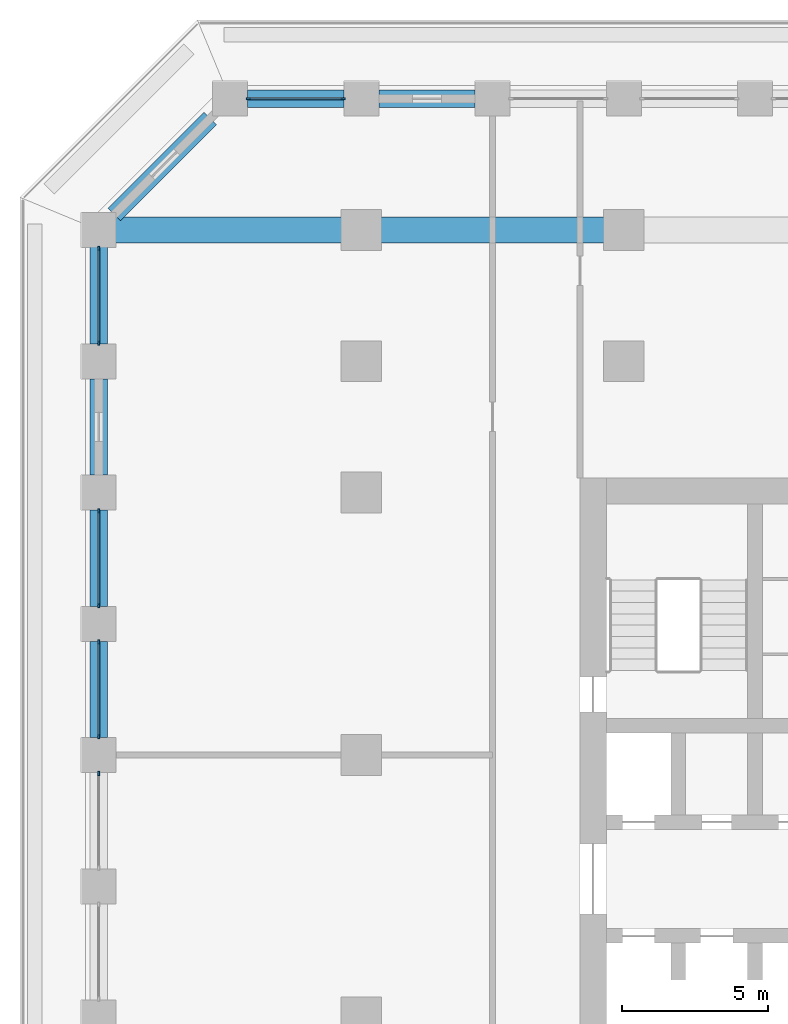
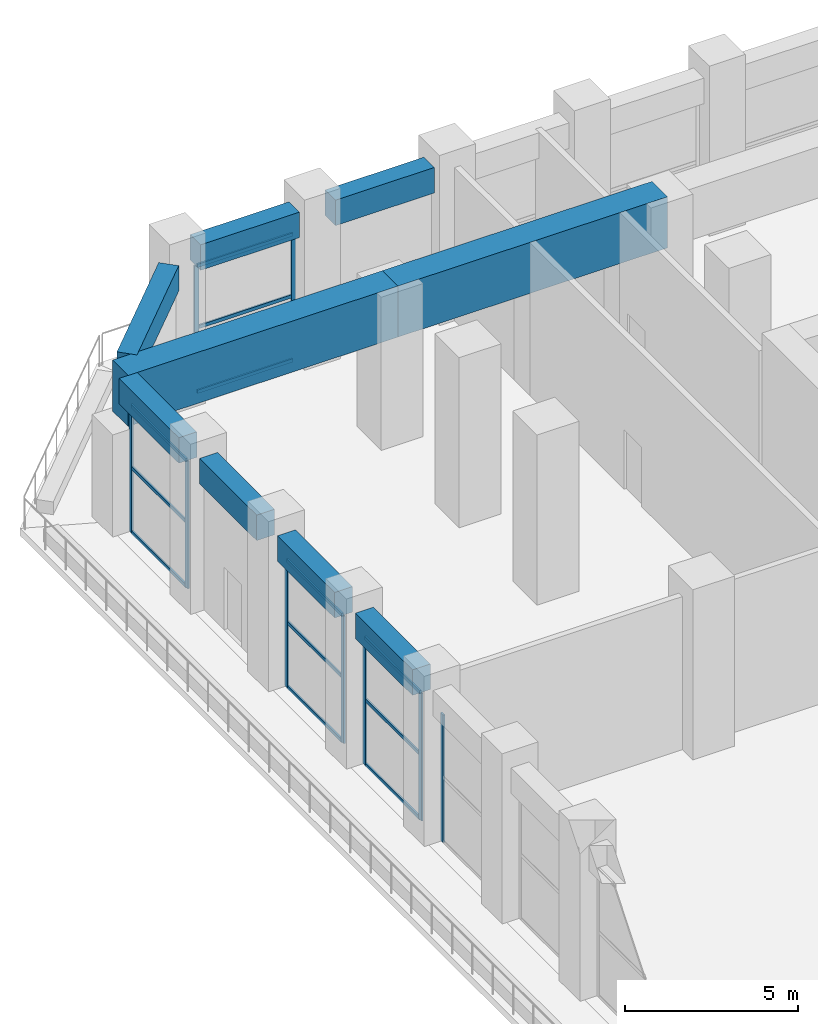
# One storey, part 6 of 24: 21 members, 9 beams, 5 elements without a shape of their own.
"""IFC4 building model written with IfcOpenShell, lengths in metres."""

from ifc_helpers import new_model, si_unit, direction, frame, origin, origin_2d, place, context, subcontext, project, spatial, rectangle, extrude, material, material_profile, profile_set, type_object, element, aggregate, save


model = new_model("IFC4")

# Units and contexts
model_context = context("Model", 3, precision=1e-05, world=origin(), true_north=direction((0.0, 1.0)))
body_context = subcontext(model_context, "Body", "Model", "MODEL_VIEW")
ifc_project = project(units=[si_unit("LENGTHUNIT", "METRE"), si_unit("AREAUNIT", "SQUARE_METRE"), si_unit("VOLUMEUNIT", "CUBIC_METRE"), si_unit("PLANEANGLEUNIT", "RADIAN"), si_unit("MASSUNIT", "GRAM", prefix="KILO")], contexts=[model_context])

# Site, building, storey
site_placement = place(None, origin())
site = spatial("IfcSite", under=ifc_project, at=site_placement, CompositionType="ELEMENT")
building_placement = place(site_placement, origin())
building = spatial("IfcBuilding", under=site, at=building_placement, Name="Corbel Stack Research Tower", CompositionType="ELEMENT")
storey_placement = place(building_placement, frame((0.0, 0.0, 145.39990234375)))
storey = spatial("IfcBuildingStorey", under=building, at=storey_placement, Name="L33", CompositionType="ELEMENT", Elevation=145.39990234375)

# Curtain wall, members
ifc_material_1 = material(Name="Aluminium frame, clear glass", Category="aluminium")
curtain_wall_type = type_object("IfcCurtainWallType", Name="Amenity floor curtain wall CW2", PredefinedType="NOTDEFINED", material=ifc_material_1)
curtain_wall_1_placement = place(storey_placement, origin())
curtain_wall_1 = element("IfcCurtainWall", 1, at=curtain_wall_1_placement, inside=storey, type_object=curtain_wall_type, Name="Curtain wall CW2 L33 N10", PredefinedType="NOTDEFINED")
ifc_material_2 = material(Name="Aluminium mullion", Category="aluminium")
ifc_material_profile_1 = material_profile(ifc_material_2, rectangle(XDim=0.06005859375, YDim=0.159912109375, at=origin_2d()), Name="Mullion 60 x 160")
ifc_profile_set_1 = profile_set([ifc_material_profile_1], Name="Aluminium mullion")
member_type_1 = type_object("IfcMemberType", Name="Curtain wall mullion 60 x 160", PredefinedType="MULLION", material=ifc_profile_set_1)
member_1_placement = place(storey_placement, frame((-18.6298828125, 31.5, 0.0), z_axis=(0.0, 0.0, 1.0), x_axis=(0.0, -1.0, 0.0)))
member_1 = element("IfcMember", 2, at=member_1_placement, type_object=member_type_1, Name="CW2 L33 N10 mullion 1", PredefinedType="MULLION", context=body_context, shape_type="SweptSolid", body=[
    extrude(rectangle(XDim=0.06005859375, YDim=0.159912109375, at=origin_2d()), origin(), (0.0, 0.0, 1.0), 4.5),
])
member_2_placement = place(storey_placement, frame((-21.8701171875, 31.5, 0.0), z_axis=(0.0, 0.0, 1.0), x_axis=(0.0, -1.0, 0.0)))
member_2 = element("IfcMember", 3, at=member_2_placement, type_object=member_type_1, Name="CW2 L33 N10 mullion 2", PredefinedType="MULLION", context=body_context, shape_type="SweptSolid", body=[
    extrude(rectangle(XDim=0.06005859375, YDim=0.159912109375, at=origin_2d()), origin(), (0.0, 0.0, 1.0), 4.5),
])

curtain_wall_2_placement = place(storey_placement, origin())
curtain_wall_2 = element("IfcCurtainWall", 4, at=curtain_wall_2_placement, inside=storey, type_object=curtain_wall_type, Name="Curtain wall CW2 L33 W01", PredefinedType="NOTDEFINED")
member_3_placement = place(storey_placement, frame((-27.0, 26.3701171875, 0.0), z_axis=(0.0, 0.0, 1.0), x_axis=(1.0, 0.0, 0.0)))
member_3 = element("IfcMember", 5, at=member_3_placement, type_object=member_type_1, Name="CW2 L33 W01 mullion 1", PredefinedType="MULLION", context=body_context, shape_type="SweptSolid", body=[
    extrude(rectangle(XDim=0.06005859375, YDim=0.159912109375, at=origin_2d()), origin(), (0.0, 0.0, 1.0), 4.5),
])
member_4_placement = place(storey_placement, frame((-27.0, 23.1298828125, 0.0), z_axis=(0.0, 0.0, 1.0), x_axis=(1.0, 0.0, 0.0)))
member_4 = element("IfcMember", 6, at=member_4_placement, type_object=member_type_1, Name="CW2 L33 W01 mullion 2", PredefinedType="MULLION", context=body_context, shape_type="SweptSolid", body=[
    extrude(rectangle(XDim=0.06005859375, YDim=0.159912109375, at=origin_2d()), origin(), (0.0, 0.0, 1.0), 4.5),
])

curtain_wall_3_placement = place(storey_placement, origin())
curtain_wall_3 = element("IfcCurtainWall", 7, at=curtain_wall_3_placement, inside=storey, type_object=curtain_wall_type, Name="Curtain wall CW2 L33 W03", PredefinedType="NOTDEFINED")
member_5_placement = place(storey_placement, frame((-27.0, 17.3701171875, 0.0), z_axis=(0.0, 0.0, 1.0), x_axis=(1.0, 0.0, 0.0)))
member_5 = element("IfcMember", 8, at=member_5_placement, type_object=member_type_1, Name="CW2 L33 W03 mullion 1", PredefinedType="MULLION", context=body_context, shape_type="SweptSolid", body=[
    extrude(rectangle(XDim=0.06005859375, YDim=0.159912109375, at=origin_2d()), origin(), (0.0, 0.0, 1.0), 4.5),
])
member_6_placement = place(storey_placement, frame((-27.0, 14.1298828125, 0.0), z_axis=(0.0, 0.0, 1.0), x_axis=(1.0, 0.0, 0.0)))
member_6 = element("IfcMember", 9, at=member_6_placement, type_object=member_type_1, Name="CW2 L33 W03 mullion 2", PredefinedType="MULLION", context=body_context, shape_type="SweptSolid", body=[
    extrude(rectangle(XDim=0.06005859375, YDim=0.159912109375, at=origin_2d()), origin(), (0.0, 0.0, 1.0), 4.5),
])

curtain_wall_4_placement = place(storey_placement, origin())
curtain_wall_4 = element("IfcCurtainWall", 10, at=curtain_wall_4_placement, inside=storey, type_object=curtain_wall_type, Name="Curtain wall CW2 L33 W04", PredefinedType="NOTDEFINED")
member_7_placement = place(storey_placement, frame((-27.0, 12.8701171875, 0.0), z_axis=(0.0, 0.0, 1.0), x_axis=(1.0, 0.0, 0.0)))
member_7 = element("IfcMember", 11, at=member_7_placement, type_object=member_type_1, Name="CW2 L33 W04 mullion 1", PredefinedType="MULLION", context=body_context, shape_type="SweptSolid", body=[
    extrude(rectangle(XDim=0.06005859375, YDim=0.159912109375, at=origin_2d()), origin(), (0.0, 0.0, 1.0), 4.5),
])
member_8_placement = place(storey_placement, frame((-27.0, 9.6298828125, 0.0), z_axis=(0.0, 0.0, 1.0), x_axis=(1.0, 0.0, 0.0)))
member_8 = element("IfcMember", 12, at=member_8_placement, type_object=member_type_1, Name="CW2 L33 W04 mullion 2", PredefinedType="MULLION", context=body_context, shape_type="SweptSolid", body=[
    extrude(rectangle(XDim=0.06005859375, YDim=0.159912109375, at=origin_2d()), origin(), (0.0, 0.0, 1.0), 4.5),
])

# Curtain wall, member
curtain_wall_5_placement = place(storey_placement, origin())
curtain_wall_5 = element("IfcCurtainWall", 13, at=curtain_wall_5_placement, inside=storey, type_object=curtain_wall_type, Name="Curtain wall CW2 L33 W05", PredefinedType="NOTDEFINED")
member_9_placement = place(storey_placement, frame((-27.0, 8.3701171875, 0.0), z_axis=(0.0, 0.0, 1.0), x_axis=(1.0, 0.0, 0.0)))
member_9 = element("IfcMember", 14, at=member_9_placement, type_object=member_type_1, Name="CW2 L33 W05 mullion 1", PredefinedType="MULLION", context=body_context, shape_type="SweptSolid", body=[
    extrude(rectangle(XDim=0.06005859375, YDim=0.159912109375, at=origin_2d()), origin(), (0.0, 0.0, 1.0), 4.5),
])
aggregate(curtain_wall_5, [member_9])

# Member
ifc_material_3 = material(Name="Aluminium transom", Category="aluminium")
ifc_material_profile_2 = material_profile(ifc_material_3, rectangle(XDim=0.06005859375, YDim=0.1201171875, at=origin_2d()), Name="Transom 60 x 120")
ifc_profile_set_2 = profile_set([ifc_material_profile_2], Name="Aluminium transom")
member_type_2 = type_object("IfcMemberType", Name="Curtain wall transom 60 x 120", PredefinedType="USERDEFINED", material=ifc_profile_set_2)
member_10_placement = place(storey_placement, frame((-18.659912109375, 31.5, 0.030029296875), z_axis=(-1.0, 0.0, 0.0), x_axis=(0.0, -1.0, 0.0)))
member_10 = element("IfcMember", 15, at=member_10_placement, type_object=member_type_2, Name="CW2 L33 N10 transom 1.1", ObjectType="TRANSOM", PredefinedType="USERDEFINED", context=body_context, shape_type="SweptSolid", body=[
    extrude(rectangle(XDim=0.06005859375, YDim=0.1201171875, at=origin_2d()), origin(), (0.0, 0.0, 1.0), 3.18017578125),
])

member_11_placement = place(storey_placement, frame((-18.659912109375, 31.5, 2.300048828125), z_axis=(-1.0, 0.0, 0.0), x_axis=(0.0, -1.0, 0.0)))
member_11 = element("IfcMember", 16, at=member_11_placement, type_object=member_type_2, Name="CW2 L33 N10 transom 1.2", ObjectType="TRANSOM", PredefinedType="USERDEFINED", context=body_context, shape_type="SweptSolid", body=[
    extrude(rectangle(XDim=0.06005859375, YDim=0.1201171875, at=origin_2d()), origin(), (0.0, 0.0, 1.0), 3.18017578125),
])

member_12_placement = place(storey_placement, frame((-18.659912109375, 31.5, 4.47021484375), z_axis=(-1.0, 0.0, 0.0), x_axis=(0.0, -1.0, 0.0)))
member_12 = element("IfcMember", 17, at=member_12_placement, type_object=member_type_2, Name="CW2 L33 N10 transom 1.3", ObjectType="TRANSOM", PredefinedType="USERDEFINED", context=body_context, shape_type="SweptSolid", body=[
    extrude(rectangle(XDim=0.06005859375, YDim=0.1201171875, at=origin_2d()), origin(), (0.0, 0.0, 1.0), 3.18017578125),
])

aggregate(curtain_wall_1, [member_1, member_2, member_10, member_11, member_12])

member_13_placement = place(storey_placement, frame((-27.0, 26.340087890625, 0.030029296875), z_axis=(0.0, -1.0, 0.0), x_axis=(1.0, 0.0, 0.0)))
member_13 = element("IfcMember", 18, at=member_13_placement, type_object=member_type_2, Name="CW2 L33 W01 transom 1.1", ObjectType="TRANSOM", PredefinedType="USERDEFINED", context=body_context, shape_type="SweptSolid", body=[
    extrude(rectangle(XDim=0.06005859375, YDim=0.1201171875, at=origin_2d()), origin(), (0.0, 0.0, 1.0), 3.18017578125),
])

member_14_placement = place(storey_placement, frame((-27.0, 26.340087890625, 2.300048828125), z_axis=(0.0, -1.0, 0.0), x_axis=(1.0, 0.0, 0.0)))
member_14 = element("IfcMember", 19, at=member_14_placement, type_object=member_type_2, Name="CW2 L33 W01 transom 1.2", ObjectType="TRANSOM", PredefinedType="USERDEFINED", context=body_context, shape_type="SweptSolid", body=[
    extrude(rectangle(XDim=0.06005859375, YDim=0.1201171875, at=origin_2d()), origin(), (0.0, 0.0, 1.0), 3.18017578125),
])

member_15_placement = place(storey_placement, frame((-27.0, 26.340087890625, 4.47021484375), z_axis=(0.0, -1.0, 0.0), x_axis=(1.0, 0.0, 0.0)))
member_15 = element("IfcMember", 20, at=member_15_placement, type_object=member_type_2, Name="CW2 L33 W01 transom 1.3", ObjectType="TRANSOM", PredefinedType="USERDEFINED", context=body_context, shape_type="SweptSolid", body=[
    extrude(rectangle(XDim=0.06005859375, YDim=0.1201171875, at=origin_2d()), origin(), (0.0, 0.0, 1.0), 3.18017578125),
])

aggregate(curtain_wall_2, [member_3, member_4, member_13, member_14, member_15])

member_16_placement = place(storey_placement, frame((-27.0, 17.340087890625, 0.030029296875), z_axis=(0.0, -1.0, 0.0), x_axis=(1.0, 0.0, 0.0)))
member_16 = element("IfcMember", 21, at=member_16_placement, type_object=member_type_2, Name="CW2 L33 W03 transom 1.1", ObjectType="TRANSOM", PredefinedType="USERDEFINED", context=body_context, shape_type="SweptSolid", body=[
    extrude(rectangle(XDim=0.06005859375, YDim=0.1201171875, at=origin_2d()), origin(), (0.0, 0.0, 1.0), 3.18017578125),
])

member_17_placement = place(storey_placement, frame((-27.0, 17.340087890625, 2.300048828125), z_axis=(0.0, -1.0, 0.0), x_axis=(1.0, 0.0, 0.0)))
member_17 = element("IfcMember", 22, at=member_17_placement, type_object=member_type_2, Name="CW2 L33 W03 transom 1.2", ObjectType="TRANSOM", PredefinedType="USERDEFINED", context=body_context, shape_type="SweptSolid", body=[
    extrude(rectangle(XDim=0.06005859375, YDim=0.1201171875, at=origin_2d()), origin(), (0.0, 0.0, 1.0), 3.18017578125),
])

member_18_placement = place(storey_placement, frame((-27.0, 17.340087890625, 4.47021484375), z_axis=(0.0, -1.0, 0.0), x_axis=(1.0, 0.0, 0.0)))
member_18 = element("IfcMember", 23, at=member_18_placement, type_object=member_type_2, Name="CW2 L33 W03 transom 1.3", ObjectType="TRANSOM", PredefinedType="USERDEFINED", context=body_context, shape_type="SweptSolid", body=[
    extrude(rectangle(XDim=0.06005859375, YDim=0.1201171875, at=origin_2d()), origin(), (0.0, 0.0, 1.0), 3.18017578125),
])

aggregate(curtain_wall_3, [member_5, member_6, member_16, member_17, member_18])

member_19_placement = place(storey_placement, frame((-27.0, 12.840087890625, 0.030029296875), z_axis=(0.0, -1.0, 0.0), x_axis=(1.0, 0.0, 0.0)))
member_19 = element("IfcMember", 24, at=member_19_placement, type_object=member_type_2, Name="CW2 L33 W04 transom 1.1", ObjectType="TRANSOM", PredefinedType="USERDEFINED", context=body_context, shape_type="SweptSolid", body=[
    extrude(rectangle(XDim=0.06005859375, YDim=0.1201171875, at=origin_2d()), origin(), (0.0, 0.0, 1.0), 3.18017578125),
])

member_20_placement = place(storey_placement, frame((-27.0, 12.840087890625, 2.300048828125), z_axis=(0.0, -1.0, 0.0), x_axis=(1.0, 0.0, 0.0)))
member_20 = element("IfcMember", 25, at=member_20_placement, type_object=member_type_2, Name="CW2 L33 W04 transom 1.2", ObjectType="TRANSOM", PredefinedType="USERDEFINED", context=body_context, shape_type="SweptSolid", body=[
    extrude(rectangle(XDim=0.06005859375, YDim=0.1201171875, at=origin_2d()), origin(), (0.0, 0.0, 1.0), 3.18017578125),
])

member_21_placement = place(storey_placement, frame((-27.0, 12.840087890625, 4.47021484375), z_axis=(0.0, -1.0, 0.0), x_axis=(1.0, 0.0, 0.0)))
member_21 = element("IfcMember", 26, at=member_21_placement, type_object=member_type_2, Name="CW2 L33 W04 transom 1.3", ObjectType="TRANSOM", PredefinedType="USERDEFINED", context=body_context, shape_type="SweptSolid", body=[
    extrude(rectangle(XDim=0.06005859375, YDim=0.1201171875, at=origin_2d()), origin(), (0.0, 0.0, 1.0), 3.18017578125),
])

aggregate(curtain_wall_4, [member_7, member_8, member_19, member_20, member_21])

# Beams
ifc_material_4 = material(Name="Concrete C60/75", Category="concrete")
ifc_material_profile_3 = material_profile(ifc_material_4, rectangle(XDim=0.60009765625, YDim=0.89990234375, at=origin_2d()), Name="RC 600 x 900")
ifc_profile_set_3 = profile_set([ifc_material_profile_3], Name="Concrete C60/75")
beam_type_1 = type_object("IfcBeamType", Name="SB-600-900-600", PredefinedType="SPANDREL", material=ifc_profile_set_3)
for number, where, z_axis, x_axis, name in (
    (27, (-14.10009765625, 31.5, 4.9501953125), (-1.0, 0.0, 0.0), (0.0, -1.0, 0.0), "Spandrel beam L33-31"),
    (28, (-18.60009765625, 31.5, 4.9501953125), (-1.0, 0.0, 0.0), (0.0, -1.0, 0.0), "Spandrel beam L33-32"),
):
    element("IfcBeam", number, at=place(storey_placement, frame(where, z_axis=z_axis, x_axis=x_axis)), inside=storey, type_object=beam_type_1, Name=name, PredefinedType="SPANDREL", context=body_context, shape_type="SweptSolid", body=[
        extrude(rectangle(XDim=0.60009765625, YDim=0.89990234375, at=origin_2d()), origin(), (0.0, 0.0, 1.0), 3.2998046875),
    ])
beam_1_placement = place(storey_placement, frame((-23.177734375, 30.822265625, 4.9501953125), z_axis=(-0.707106781187, -0.707106781187, 0.0), x_axis=(0.707106781187, -0.707106781187, 0.0)))
element("IfcBeam", 29, at=beam_1_placement, inside=storey, type_object=beam_type_1, Name="Spandrel beam L33-33", PredefinedType="SPANDREL", context=body_context, shape_type="SweptSolid", body=[
    extrude(rectangle(XDim=0.60009765625, YDim=0.89990234375, at=origin_2d()), origin(), (0.0, 0.0, 1.0), 4.658935546875),
])
beam_2_placement = place(storey_placement, frame((-27.0, 26.550048828125, 4.9501953125), z_axis=(0.0, -1.0, 0.0), x_axis=(1.0, 0.0, 0.0)))
element("IfcBeam", 30, at=beam_2_placement, inside=storey, type_object=beam_type_1, Name="Spandrel beam L33-34", PredefinedType="SPANDREL", context=body_context, shape_type="SweptSolid", body=[
    extrude(rectangle(XDim=0.60009765625, YDim=0.89990234375, at=origin_2d()), origin(), (0.0, 0.0, 1.0), 3.449951171875),
])
for number, where, z_axis, x_axis, name in (
    (31, (-27.0, 21.89990234375, 4.9501953125), (0.0, -1.0, 0.0), (1.0, 0.0, 0.0), "Spandrel beam L33-35"),
    (32, (-27.0, 17.39990234375, 4.9501953125), (0.0, -1.0, 0.0), (1.0, 0.0, 0.0), "Spandrel beam L33-36"),
    (33, (-27.0, 12.89990234375, 4.9501953125), (0.0, -1.0, 0.0), (1.0, 0.0, 0.0), "Spandrel beam L33-37"),
):
    element("IfcBeam", number, at=place(storey_placement, frame(where, z_axis=z_axis, x_axis=x_axis)), inside=storey, type_object=beam_type_1, Name=name, PredefinedType="SPANDREL", context=body_context, shape_type="SweptSolid", body=[
        extrude(rectangle(XDim=0.60009765625, YDim=0.89990234375, at=origin_2d()), origin(), (0.0, 0.0, 1.0), 3.2998046875),
    ])
ifc_material_5 = material(Name="Concrete C60/75", Category="concrete")
ifc_material_profile_4 = material_profile(ifc_material_5, rectangle(XDim=0.89990234375, YDim=1.800048828125, at=origin_2d()), Name="RC 900 x 1800")
ifc_profile_set_4 = profile_set([ifc_material_profile_4], Name="Concrete C60/75")
beam_type_2 = type_object("IfcBeamType", Name="TG-900-1800", PredefinedType="BEAM", material=ifc_profile_set_4)
for number, where, z_axis, x_axis, name in (
    (34, (-27.0, 27.0, 4.5), (1.0, 0.0, 0.0), (0.0, 1.0, 0.0), "Transfer girder along the step L33 Nl-27"),
    (35, (-18.0, 27.0, 4.5), (1.0, 0.0, 0.0), (0.0, 1.0, 0.0), "Transfer girder along the step L33 Nl-18"),
):
    element("IfcBeam", number, at=place(storey_placement, frame(where, z_axis=z_axis, x_axis=x_axis)), inside=storey, type_object=beam_type_2, Name=name, PredefinedType="BEAM", context=body_context, shape_type="SweptSolid", body=[
        extrude(rectangle(XDim=0.89990234375, YDim=1.800048828125, at=origin_2d()), origin(), (0.0, 0.0, 1.0), 9.0),
    ])

save(model, "model.ifc")
